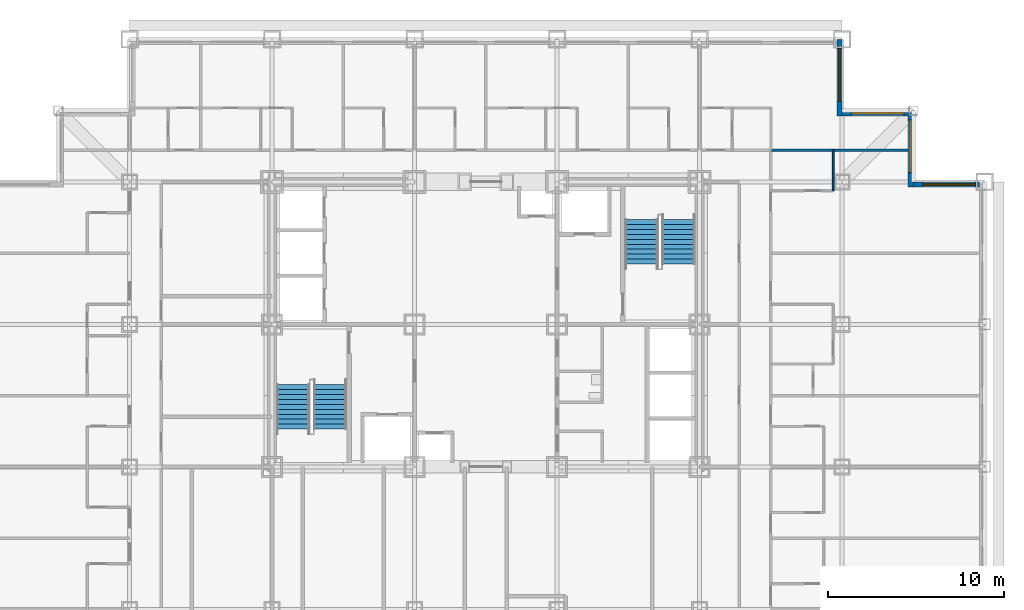
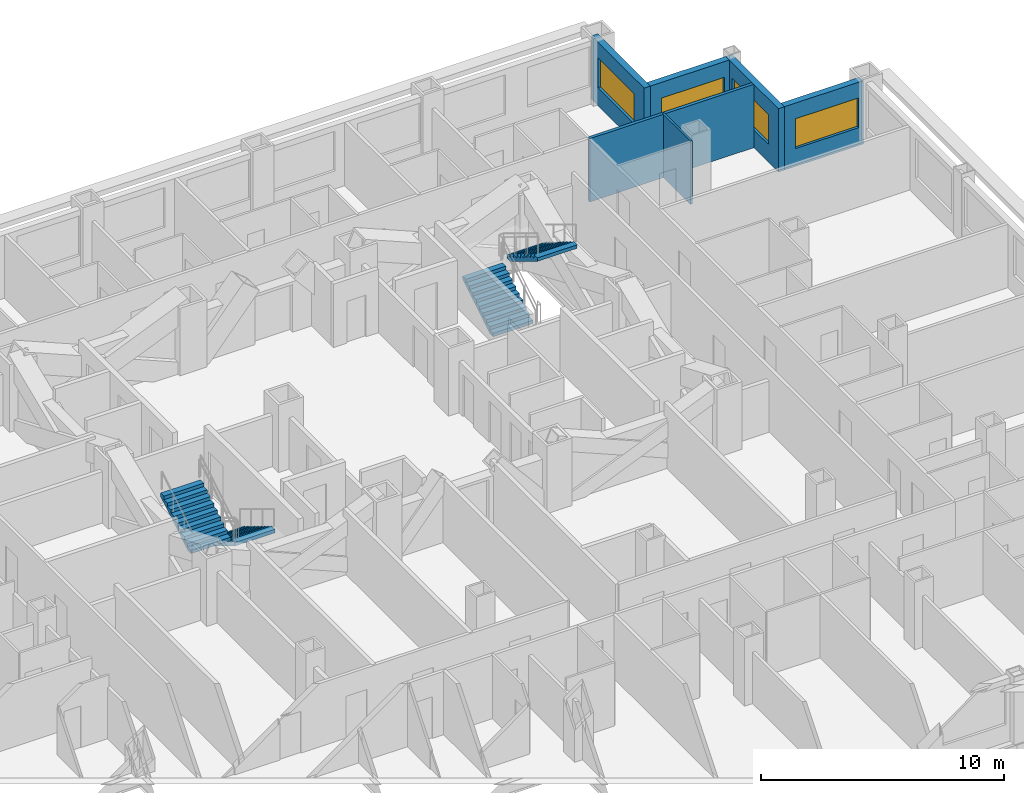
# One storey, part 11 of 13: 6 walls, 4 stair flights, 4 windows, 4 openings, 2 elements without a shape of their own.
"""IFC4 building model written with IfcOpenShell, lengths in metres."""

from ifc_helpers import new_model, si_unit, direction, frame, frame_2d, origin, place, context, subcontext, project, spatial, rectangle, extrude, polygons, source, transform, mapped, material, layer, layer_set, type_object, element, fill, aggregate, save


model = new_model("IFC4")

# Units and contexts
model_context = context("Model", 3, precision=1e-05, world=origin(), true_north=direction((0.0, 1.0)))
body_context = subcontext(model_context, "Body", "Model", "MODEL_VIEW")
ifc_project = project(units=[si_unit("LENGTHUNIT", "METRE"), si_unit("AREAUNIT", "SQUARE_METRE"), si_unit("VOLUMEUNIT", "CUBIC_METRE"), si_unit("PLANEANGLEUNIT", "RADIAN"), si_unit("MASSUNIT", "GRAM", prefix="KILO")], contexts=[model_context])

# Site, building, storey
site_placement = place(None, origin())
site = spatial("IfcSite", under=ifc_project, at=site_placement, CompositionType="ELEMENT")
building_placement = place(site_placement, origin())
building = spatial("IfcBuilding", under=site, at=building_placement, Name="Kopane Lantern Tower", CompositionType="ELEMENT")
storey_placement = place(building_placement, frame((0.0, 0.0, 67.0)))
storey = spatial("IfcBuildingStorey", under=building, at=storey_placement, Name="L16", CompositionType="ELEMENT", Elevation=67.0)

# Walls
ifc_material_1 = material(Name="Moisture-resistant board on steel studs", Category="steel")
ifc_layer_1 = layer(ifc_material_1, 0.10009765625)
ifc_layer_set_1 = layer_set([ifc_layer_1], Name="BATHROOM WALL 100")
wall_type_1 = type_object("IfcWallType", Name="BATHROOM WALL 100", PredefinedType="PARTITIONING", material=ifc_layer_set_1)
wall_1_placement = place(storey_placement, frame((48.090087890625, 40.0, 0.0), z_axis=(0.0, 0.0, 1.0), x_axis=(0.0, 1.0, 0.0)))
element("IfcWall", 1, at=wall_1_placement, inside=storey, type_object=wall_type_1, Name="Bathroom Wall 100 L16", PredefinedType="PARTITIONING", context=body_context, shape_type="SweptSolid", body=[
    extrude(rectangle(XDim=2.300048828125, YDim=0.10009765625, at=frame_2d((1.14990234375, 0.0))), origin(), (0.0, 0.0, 1.0), 3.18994140625),
])
ifc_material_2 = material(Name="Gypsum board on steel studs", Category="steel")
ifc_layer_2 = layer(ifc_material_2, 0.14990234375)
ifc_layer_set_2 = layer_set([ifc_layer_2], Name="DEMISING WALL 150 EI 60")
wall_type_2 = type_object("IfcWallType", Name="DEMISING WALL 150 EI 60", PredefinedType="PARTITIONING", material=ifc_layer_set_2)
wall_2_placement = place(storey_placement, frame((44.550048828125, 42.300048828125, 0.0), z_axis=(0.0, 0.0, 1.0), x_axis=(1.0, 0.0, 0.0)))
element("IfcWall", 2, at=wall_2_placement, inside=storey, type_object=wall_type_2, Name="Demising Wall 150 Ei 60 L16", PredefinedType="PARTITIONING", context=body_context, shape_type="SweptSolid", body=[
    extrude(rectangle(XDim=7.800048828125, YDim=0.14990234375, at=frame_2d((3.89990234375, 0.0))), origin(), (0.0, 0.0, 1.0), 3.18994140625),
])

# Wall, opening, window
ifc_material_3 = material(Name="Terracotta rainscreen on light steel framing", Category="masonry")
ifc_layer_3 = layer(ifc_material_3, 0.300048828125)
ifc_layer_set_3 = layer_set([ifc_layer_3], Name="EXTERNAL WALL EW1 300 TERRACOTTA")
wall_type_3 = type_object("IfcWallType", Name="EXTERNAL WALL EW1 300 TERRACOTTA", PredefinedType="SOLIDWALL", material=ifc_layer_set_3)
wall_3_placement = place(storey_placement, frame((56.39990234375, 40.35009765625, 0.0), z_axis=(0.0, 0.0, 1.0), x_axis=(-1.0, 0.0, 0.0)))
wall_3 = element("IfcWall", 3, at=wall_3_placement, inside=storey, type_object=wall_type_3, Name="External wall N L16", PredefinedType="SOLIDWALL", context=body_context, shape_type="SweptSolid", body=[
    extrude(rectangle(XDim=3.75, YDim=0.300048828125, at=frame_2d((1.875, 0.0))), origin(), (0.0, 0.0, 1.0), 3.18994140625),
])
opening_1_placement = place(wall_3_placement, frame((0.22509765625, 0.0, 0.89990234375)))
opening_1 = element("IfcOpeningElement", 4, at=opening_1_placement, cuts=wall_3, Name="Opening WR300150", PredefinedType="OPENING", context=body_context, shape_type="SweptSolid", body=[
    extrude(rectangle(XDim=3.0, YDim=1.5, at=frame_2d((1.5, 0.75))), frame((0.0, 0.159912109375, 0.0), z_axis=(0.0, -1.0, 0.0), x_axis=(1.0, 0.0, 0.0)), (0.0, 0.0, 1.0), 0.320068359375),
])
ifc_material_4 = material(Name="Aluminium and clear glass", Category="aluminium")
window_type = type_object("IfcWindowType", Name="RIBBON WINDOW WR300150 3000x1500", PartitioningType="SINGLE_PANEL", PredefinedType="WINDOW", material=ifc_material_4)
window_1_placement = place(opening_1_placement, origin())
window_1 = element("IfcWindow", 5, at=window_1_placement, inside=storey, type_object=window_type, Name="Window N L16", OverallHeight=1.5, OverallWidth=3.0, PartitioningType="SINGLE_PANEL", PredefinedType="WINDOW", context=body_context, shape_type="SweptSolid", body=[
    extrude(rectangle(XDim=3.0, YDim=1.5, at=frame_2d((1.5, 0.75))), frame((0.0, 0.030029296875, 0.0), z_axis=(0.0, -1.0, 0.0), x_axis=(1.0, 0.0, 0.0)), (0.0, 0.0, 1.0), 0.06005859375),
])
fill(opening_1, window_1)

wall_4_placement = place(storey_placement, frame((52.5, 40.199951171875, 0.0), z_axis=(0.0, 0.0, 1.0), x_axis=(0.0, 1.0, 0.0)))
wall_4 = element("IfcWall", 6, at=wall_4_placement, inside=storey, type_object=wall_type_3, Name="External wall E L16", PredefinedType="SOLIDWALL", context=body_context, shape_type="SweptSolid", body=[
    extrude(rectangle(XDim=4.35009765625, YDim=0.300048828125, at=frame_2d((2.175048828125, 0.0))), origin(), (0.0, 0.0, 1.0), 3.18994140625),
])
opening_2_placement = place(wall_4_placement, frame((0.824951171875, 0.0, 0.89990234375)))
opening_2 = element("IfcOpeningElement", 7, at=opening_2_placement, cuts=wall_4, Name="Opening WR300150", PredefinedType="OPENING", context=body_context, shape_type="SweptSolid", body=[
    extrude(rectangle(XDim=3.0, YDim=1.5, at=frame_2d((1.5, 0.75))), frame((0.0, 0.159912109375, 0.0), z_axis=(0.0, -1.0, 0.0), x_axis=(1.0, 0.0, 0.0)), (0.0, 0.0, 1.0), 0.320068359375),
])
window_2_placement = place(opening_2_placement, origin())
window_2 = element("IfcWindow", 8, at=window_2_placement, inside=storey, type_object=window_type, Name="Window E L16", OverallHeight=1.5, OverallWidth=3.0, PartitioningType="SINGLE_PANEL", PredefinedType="WINDOW", context=body_context, shape_type="SweptSolid", body=[
    extrude(rectangle(XDim=3.0, YDim=1.5, at=frame_2d((1.5, 0.75))), frame((0.0, 0.030029296875, 0.0), z_axis=(0.0, -1.0, 0.0), x_axis=(1.0, 0.0, 0.0)), (0.0, 0.0, 1.0), 0.06005859375),
])
fill(opening_2, window_2)

wall_5_placement = place(storey_placement, frame((52.35009765625, 44.39990234375, 0.0), z_axis=(0.0, 0.0, 1.0), x_axis=(-1.0, 0.0, 0.0)))
wall_5 = element("IfcWall", 9, at=wall_5_placement, inside=storey, type_object=wall_type_3, Name="External wall N L16", PredefinedType="SOLIDWALL", context=body_context, shape_type="SweptSolid", body=[
    extrude(rectangle(XDim=3.75, YDim=0.300048828125, at=frame_2d((1.875, 0.0))), origin(), (0.0, 0.0, 1.0), 3.18994140625),
])
opening_3_placement = place(wall_5_placement, frame((0.22509765625, 0.0, 0.89990234375)))
opening_3 = element("IfcOpeningElement", 10, at=opening_3_placement, cuts=wall_5, Name="Opening WR300150", PredefinedType="OPENING", context=body_context, shape_type="SweptSolid", body=[
    extrude(rectangle(XDim=3.0, YDim=1.5, at=frame_2d((1.5, 0.75))), frame((0.0, 0.159912109375, 0.0), z_axis=(0.0, -1.0, 0.0), x_axis=(1.0, 0.0, 0.0)), (0.0, 0.0, 1.0), 0.320068359375),
])
window_3_placement = place(opening_3_placement, origin())
window_3 = element("IfcWindow", 11, at=window_3_placement, inside=storey, type_object=window_type, Name="Window N L16", OverallHeight=1.5, OverallWidth=3.0, PartitioningType="SINGLE_PANEL", PredefinedType="WINDOW", context=body_context, shape_type="SweptSolid", body=[
    extrude(rectangle(XDim=3.0, YDim=1.5, at=frame_2d((1.5, 0.75))), frame((0.0, 0.030029296875, 0.0), z_axis=(0.0, -1.0, 0.0), x_axis=(1.0, 0.0, 0.0)), (0.0, 0.0, 1.0), 0.06005859375),
])
fill(opening_3, window_3)

wall_6_placement = place(storey_placement, frame((48.449951171875, 44.25, 0.0), z_axis=(0.0, 0.0, 1.0), x_axis=(0.0, 1.0, 0.0)))
wall_6 = element("IfcWall", 12, at=wall_6_placement, inside=storey, type_object=wall_type_3, Name="External wall E L16", PredefinedType="SOLIDWALL", context=body_context, shape_type="SweptSolid", body=[
    extrude(rectangle(XDim=4.35009765625, YDim=0.300048828125, at=frame_2d((2.175048828125, 0.0))), origin(), (0.0, 0.0, 1.0), 3.18994140625),
])
opening_4_placement = place(wall_6_placement, frame((0.824951171875, 0.0, 0.89990234375)))
opening_4 = element("IfcOpeningElement", 13, at=opening_4_placement, cuts=wall_6, Name="Opening WR300150", PredefinedType="OPENING", context=body_context, shape_type="SweptSolid", body=[
    extrude(rectangle(XDim=3.0, YDim=1.5, at=frame_2d((1.5, 0.75))), frame((0.0, 0.159912109375, 0.0), z_axis=(0.0, -1.0, 0.0), x_axis=(1.0, 0.0, 0.0)), (0.0, 0.0, 1.0), 0.320068359375),
])
window_4_placement = place(opening_4_placement, origin())
window_4 = element("IfcWindow", 14, at=window_4_placement, inside=storey, type_object=window_type, Name="Window E L16", OverallHeight=1.5, OverallWidth=3.0, PartitioningType="SINGLE_PANEL", PredefinedType="WINDOW", context=body_context, shape_type="SweptSolid", body=[
    extrude(rectangle(XDim=3.0, YDim=1.5, at=frame_2d((1.5, 0.75))), frame((0.0, 0.030029296875, 0.0), z_axis=(0.0, -1.0, 0.0), x_axis=(1.0, 0.0, 0.0)), (0.0, 0.0, 1.0), 0.06005859375),
])
fill(opening_4, window_4)

# Stair, stair flights
ifc_material_5 = material(Name="Steel S355JR", Category="steel")
stair_type = type_object("IfcStairType", Name="EXIT STAIR 1900 HALF TURN", PredefinedType="HALF_TURN_STAIR", material=ifc_material_5)
stair_1_placement = place(storey_placement, origin())
stair_1 = element("IfcStair", 15, at=stair_1_placement, inside=storey, type_object=stair_type, Name="Exit stair ST1 L16", PredefinedType="HALF_TURN_STAIR")
ifc_material_6 = material(Name="Steel S355JR", Category="steel")
stair_flight_type = type_object("IfcStairFlightType", Name="STAIR FLIGHT 1900 STEEL", PredefinedType="STRAIGHT", material=ifc_material_6)
shared_shape = source(origin(), body_context, "Body", "Tessellation", [
    polygons([(2.520019531, 0.949951172, 1.530029297), (2.239990234, 0.949951172, 1.530029297), (2.239990234, -0.949951172, 1.530029297), (2.520019531, -0.949951172, 1.530029297), (0.288818359, 0.949951172, 0.0), (2.520019531, 0.949951172, 1.354736328), (2.520019531, -0.949951172, 1.354736328), (0.288818359, -0.949951172, 0.0), (0.0, 0.949951172, 0.0), (0.0, -0.949951172, 0.0), (0.280029297, 0.949951172, 0.169921875), (0.0, 0.949951172, 0.169921875), (0.0, -0.949951172, 0.169921875), (0.280029297, -0.949951172, 0.169921875), (0.280029297, 0.949951172, 0.340087891), (0.280029297, -0.949951172, 0.340087891), (0.560058594, 0.949951172, 0.340087891), (0.560058594, -0.949951172, 0.340087891), (0.560058594, 0.949951172, 0.510009766), (0.560058594, -0.949951172, 0.510009766), (0.840087891, 0.949951172, 0.510009766), (0.840087891, -0.949951172, 0.510009766), (0.840087891, 0.949951172, 0.679931641), (0.840087891, -0.949951172, 0.679931641), (1.120117188, 0.949951172, 0.679931641), (1.120117188, -0.949951172, 0.679931641), (1.120117188, 0.949951172, 0.850097656), (1.120117188, -0.949951172, 0.850097656), (1.399902344, 0.949951172, 0.850097656), (1.399902344, -0.949951172, 0.850097656), (1.399902344, 0.949951172, 1.020019531), (1.399902344, -0.949951172, 1.020019531), (1.679931641, 0.949951172, 1.020019531), (1.679931641, -0.949951172, 1.020019531), (1.679931641, 0.949951172, 1.189941406), (1.679931641, -0.949951172, 1.189941406), (1.959960938, 0.949951172, 1.189941406), (1.959960938, -0.949951172, 1.189941406), (1.959960938, 0.949951172, 1.360107422), (1.959960938, -0.949951172, 1.360107422), (2.239990234, 0.949951172, 1.360107422), (2.239990234, -0.949951172, 1.360107422), (0.0, 0.0, 0.004592483), (0.0, 0.0, 0.009184966), (0.0, 0.0, 0.013777449), (0.0, 0.0, 0.018369932), (0.0, 0.0, 0.022962416), (0.0, 0.0, 0.027554899), (0.0, 0.0, 0.032147382), (0.0, 0.0, 0.036739865), (0.0, 0.0, 0.041332348), (0.0, 0.0, 0.045924831), (0.0, 0.0, 0.050517314), (0.0, 0.0, 0.055109797), (0.0, 0.0, 0.05970228), (0.0, 0.0, 0.064294764), (0.0, 0.0, 0.068887247), (0.0, 0.0, 0.07347973), (0.0, 0.0, 0.078072213), (0.0, 0.0, 0.082664696), (0.0, 0.0, 0.087257179), (0.0, 0.0, 0.091849662), (0.0, 0.0, 0.096442145), (0.0, 0.0, 0.101034628), (0.0, 0.0, 0.105627111), (0.0, 0.0, 0.110219595), (0.0, 0.0, 0.114812078), (0.0, 0.0, 0.119404561), (0.0, 0.0, 0.123997044), (0.0, 0.0, 0.128589527), (0.0, 0.0, 0.13318201), (0.0, 0.0, 0.137774493), (0.0, 0.0, 0.142366976), (0.0, 0.0, 0.146959459), (0.0, 0.0, 0.151551943), (0.0, 0.0, 0.156144426), (0.0, 0.0, 0.160736909), (0.0, 0.0, 0.165329392), (2.520019531, 0.0, 1.359473976), (2.520019531, 0.0, 1.364211624), (2.520019531, 0.0, 1.368949272), (2.520019531, 0.0, 1.373686919), (2.520019531, 0.0, 1.378424567), (2.520019531, 0.0, 1.383162215), (2.520019531, 0.0, 1.387899863), (2.520019531, 0.0, 1.392637511), (2.520019531, 0.0, 1.397375158), (2.520019531, 0.0, 1.402112806), (2.520019531, 0.0, 1.406850454), (2.520019531, 0.0, 1.411588102), (2.520019531, 0.0, 1.41632575), (2.520019531, 0.0, 1.421063397), (2.520019531, 0.0, 1.425801045), (2.520019531, 0.0, 1.430538693), (2.520019531, 0.0, 1.435276341), (2.520019531, 0.0, 1.440013989), (2.520019531, 0.0, 1.444751636), (2.520019531, 0.0, 1.449489284), (2.520019531, 0.0, 1.454226932), (2.520019531, 0.0, 1.45896458), (2.520019531, 0.0, 1.463702228), (2.520019531, 0.0, 1.468439875), (2.520019531, 0.0, 1.473177523), (2.520019531, 0.0, 1.477915171), (2.520019531, 0.0, 1.482652819), (2.520019531, 0.0, 1.487390467), (2.520019531, 0.0, 1.492128114), (2.520019531, 0.0, 1.496865762), (2.520019531, 0.0, 1.50160341), (2.520019531, 0.0, 1.506341058), (2.520019531, 0.0, 1.511078706), (2.520019531, 0.0, 1.515816353), (2.520019531, 0.0, 1.520554001), (2.520019531, 0.0, 1.525291649)], [[[1, 2, 3]], [[1, 3, 4]], [[5, 6, 7]], [[5, 7, 8]], [[9, 5, 8]], [[9, 8, 10]], [[11, 12, 13]], [[11, 13, 14]], [[15, 11, 14]], [[15, 14, 16]], [[17, 15, 16]], [[17, 16, 18]], [[19, 17, 18]], [[19, 18, 20]], [[21, 19, 20]], [[21, 20, 22]], [[23, 21, 22]], [[23, 22, 24]], [[25, 23, 24]], [[25, 24, 26]], [[27, 25, 26]], [[27, 26, 28]], [[29, 27, 28]], [[29, 28, 30]], [[31, 29, 30]], [[31, 30, 32]], [[33, 31, 32]], [[33, 32, 34]], [[35, 33, 34]], [[35, 34, 36]], [[37, 35, 36]], [[37, 36, 38]], [[39, 37, 38]], [[39, 38, 40]], [[41, 39, 40]], [[41, 40, 42]], [[2, 41, 42]], [[2, 42, 3]], [[41, 1, 6]], [[37, 41, 6]], [[2, 1, 41]], [[33, 37, 6]], [[39, 41, 37]], [[35, 37, 33]], [[31, 33, 29]], [[5, 21, 25]], [[27, 29, 25]], [[17, 21, 5]], [[23, 25, 21]], [[11, 17, 5]], [[19, 21, 17]], [[9, 11, 5]], [[15, 17, 11]], [[12, 11, 9]], [[6, 5, 25]], [[6, 25, 29]], [[6, 29, 33]], [[7, 4, 42]], [[7, 42, 38]], [[42, 4, 3]], [[7, 38, 34]], [[38, 42, 40]], [[34, 38, 36]], [[30, 34, 32]], [[26, 22, 8]], [[26, 30, 28]], [[8, 22, 18]], [[22, 26, 24]], [[8, 18, 14]], [[18, 22, 20]], [[8, 14, 10]], [[14, 18, 16]], [[10, 14, 13]], [[26, 8, 7]], [[30, 26, 7]], [[34, 30, 7]], [[10, 43, 9]], [[10, 44, 43]], [[9, 43, 44]], [[10, 45, 44]], [[9, 44, 45]], [[10, 46, 45]], [[9, 45, 46]], [[10, 47, 46]], [[9, 46, 47]], [[10, 48, 47]], [[9, 47, 48]], [[10, 49, 48]], [[9, 48, 49]], [[10, 50, 49]], [[9, 49, 50]], [[10, 51, 50]], [[9, 50, 51]], [[10, 52, 51]], [[9, 51, 52]], [[10, 53, 52]], [[9, 52, 53]], [[10, 54, 53]], [[9, 53, 54]], [[10, 55, 54]], [[9, 54, 55]], [[10, 56, 55]], [[9, 55, 56]], [[10, 57, 56]], [[9, 56, 57]], [[10, 58, 57]], [[9, 57, 58]], [[10, 59, 58]], [[9, 58, 59]], [[10, 60, 59]], [[9, 59, 60]], [[10, 61, 60]], [[9, 60, 61]], [[10, 62, 61]], [[9, 61, 62]], [[10, 63, 62]], [[9, 62, 63]], [[10, 64, 63]], [[9, 63, 64]], [[10, 65, 64]], [[9, 64, 65]], [[10, 66, 65]], [[9, 65, 66]], [[10, 67, 66]], [[9, 66, 67]], [[10, 68, 67]], [[9, 67, 68]], [[10, 69, 68]], [[9, 68, 69]], [[10, 70, 69]], [[9, 69, 70]], [[10, 71, 70]], [[9, 70, 71]], [[10, 72, 71]], [[9, 71, 72]], [[10, 73, 72]], [[9, 72, 73]], [[10, 74, 73]], [[9, 73, 74]], [[10, 75, 74]], [[9, 74, 75]], [[10, 76, 75]], [[9, 75, 76]], [[10, 77, 76]], [[9, 76, 77]], [[10, 78, 77]], [[9, 77, 78]], [[10, 13, 78]], [[78, 13, 12]], [[9, 78, 12]], [[7, 6, 79]], [[7, 79, 80]], [[6, 80, 79]], [[7, 80, 81]], [[6, 81, 80]], [[7, 81, 82]], [[6, 82, 81]], [[7, 82, 83]], [[6, 83, 82]], [[7, 83, 84]], [[6, 84, 83]], [[7, 84, 85]], [[6, 85, 84]], [[7, 85, 86]], [[6, 86, 85]], [[7, 86, 87]], [[6, 87, 86]], [[7, 87, 88]], [[6, 88, 87]], [[7, 88, 89]], [[6, 89, 88]], [[7, 89, 90]], [[6, 90, 89]], [[7, 90, 91]], [[6, 91, 90]], [[7, 91, 92]], [[6, 92, 91]], [[7, 92, 93]], [[6, 93, 92]], [[7, 93, 94]], [[6, 94, 93]], [[7, 94, 95]], [[6, 95, 94]], [[7, 95, 96]], [[6, 96, 95]], [[7, 96, 97]], [[6, 97, 96]], [[7, 97, 98]], [[6, 98, 97]], [[7, 98, 99]], [[6, 99, 98]], [[7, 99, 100]], [[6, 100, 99]], [[7, 100, 101]], [[6, 101, 100]], [[7, 101, 102]], [[6, 102, 101]], [[7, 102, 103]], [[6, 103, 102]], [[7, 103, 104]], [[6, 104, 103]], [[7, 104, 105]], [[6, 105, 104]], [[7, 105, 106]], [[6, 106, 105]], [[7, 106, 107]], [[6, 107, 106]], [[7, 107, 108]], [[6, 108, 107]], [[7, 108, 109]], [[6, 109, 108]], [[7, 109, 110]], [[6, 110, 109]], [[7, 110, 111]], [[6, 111, 110]], [[7, 111, 112]], [[6, 112, 111]], [[7, 112, 113]], [[6, 113, 112]], [[7, 113, 114]], [[6, 114, 113]], [[7, 114, 4]], [[114, 1, 4]], [[6, 1, 114]]], closed=True),
])
stair_flight_1_placement = place(storey_placement, frame((19.5, 28.969970703125, 0.0), z_axis=(0.0, 0.0, 1.0), x_axis=(0.0, -1.0, 0.0)))
stair_flight_1 = element("IfcStairFlight", 16, at=stair_flight_1_placement, type_object=stair_flight_type, Name="ST1 flight 1", NumberOfRisers=10, NumberOfTreads=9, PredefinedType="STRAIGHT", RiserHeight=0.17, TreadLength=0.28, context=body_context, shape_type="MappedRepresentation", body=[
    mapped(shared_shape, transform((0.0, 0.0, 0.0))),
])
stair_flight_2_placement = place(storey_placement, frame((17.39990234375, 26.449951171875, 1.699951171875), z_axis=(0.0, 0.0, 1.0), x_axis=(0.0, 1.0, 0.0)))
stair_flight_2 = element("IfcStairFlight", 17, at=stair_flight_2_placement, type_object=stair_flight_type, Name="ST1 flight 2", NumberOfRisers=10, NumberOfTreads=9, PredefinedType="STRAIGHT", RiserHeight=0.17, TreadLength=0.28, context=body_context, shape_type="MappedRepresentation", body=[
    mapped(shared_shape, transform((0.0, 0.0, 0.0))),
])
aggregate(stair_1, [stair_flight_1, stair_flight_2])

stair_2_placement = place(storey_placement, origin())
stair_2 = element("IfcStair", 18, at=stair_2_placement, inside=storey, type_object=stair_type, Name="Exit stair ST2 L16", PredefinedType="HALF_TURN_STAIR")
stair_flight_3_placement = place(storey_placement, frame((37.199951171875, 35.830078125, 0.0), z_axis=(0.0, 0.0, 1.0), x_axis=(0.0, 1.0, 0.0)))
stair_flight_3 = element("IfcStairFlight", 19, at=stair_flight_3_placement, type_object=stair_flight_type, Name="ST2 flight 1", NumberOfRisers=10, NumberOfTreads=9, PredefinedType="STRAIGHT", RiserHeight=0.17, TreadLength=0.28, context=body_context, shape_type="MappedRepresentation", body=[
    mapped(shared_shape, transform((0.0, 0.0, 0.0))),
])
stair_flight_4_placement = place(storey_placement, frame((39.300048828125, 38.35009765625, 1.699951171875), z_axis=(0.0, 0.0, 1.0), x_axis=(0.0, -1.0, 0.0)))
stair_flight_4 = element("IfcStairFlight", 20, at=stair_flight_4_placement, type_object=stair_flight_type, Name="ST2 flight 2", NumberOfRisers=10, NumberOfTreads=9, PredefinedType="STRAIGHT", RiserHeight=0.17, TreadLength=0.28, context=body_context, shape_type="MappedRepresentation", body=[
    mapped(shared_shape, transform((0.0, 0.0, 0.0))),
])
aggregate(stair_2, [stair_flight_3, stair_flight_4])

save(model, "model.ifc")
